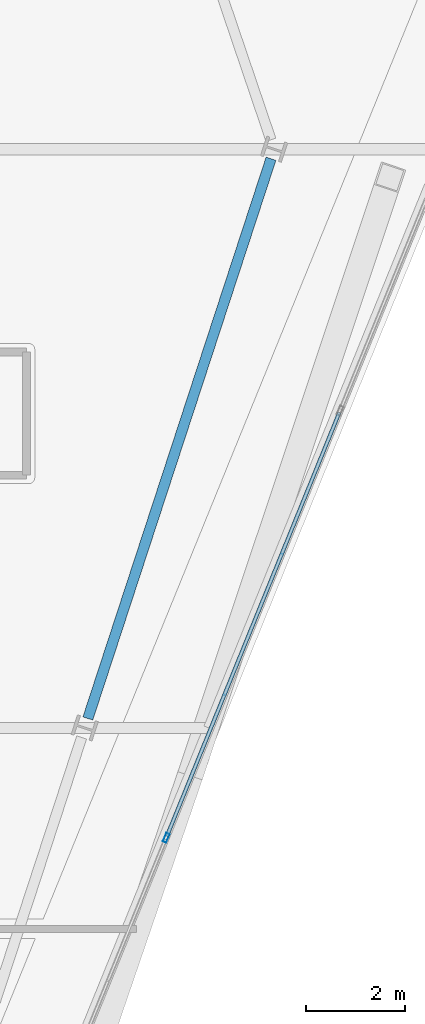
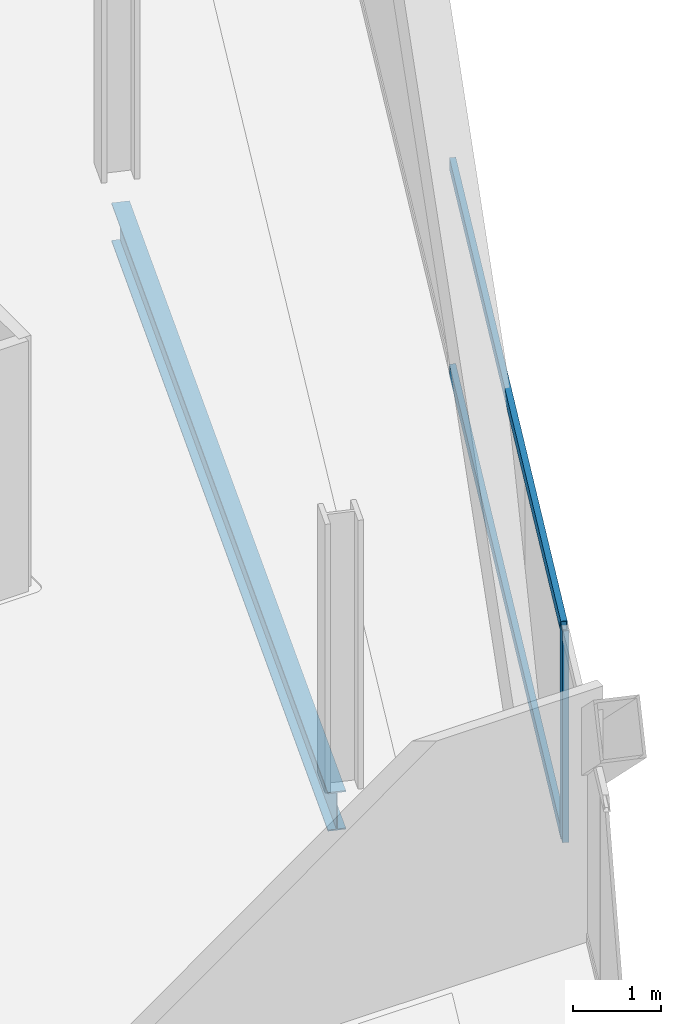
# One storey, part 13 of 31: 3 members, 1 beam, 1 element without a shape of its own.
"""IFC4 building model written with IfcOpenShell, lengths in metres."""

import ifcopenshell
import ifcopenshell.guid

model = None  # the IFC model being written
_history = None  # IfcOwnerHistory: only IFC2X3 demands one
_inside = {}  # id of a spatial element -> (the spatial element, [elements in it])
_under = {}  # id of a project, library or spatial element -> (it, [spatial elements below it])
_declared = {}  # id of a project -> (the project, [libraries it declares])
_typed = {}  # id of a type object -> (the type object, [elements of that type])
_made_of = {}  # id of a material, layer set ... -> (it, [elements and type objects made of it])


def new_model(schema):
    """Start an empty IFC model of exactly this schema.

    Asked for "IFC4X3", IfcOpenShell would pick the latest addendum, in which some entities
    have other attributes; the version numbers below select the first issue.
    IFC2X3 requires an IfcOwnerHistory on every rooted entity: one is made here for all.
    """
    global model, _history
    if schema == "IFC4X3":
        model = ifcopenshell.file(schema_version=(4, 3, 0, 0))
    else:
        model = ifcopenshell.file(schema=schema)
    _inside.clear()
    _under.clear()
    _declared.clear()
    _typed.clear()
    _made_of.clear()
    _history = None
    if model.schema == "IFC2X3":
        org = make("IfcOrganization", Name="unknown")
        user = make(
            "IfcPersonAndOrganization",
            ThePerson=make("IfcPerson", FamilyName="unknown"),
            TheOrganization=org,
        )
        app = make(
            "IfcApplication",
            ApplicationDeveloper=org,
            Version="unknown",
            ApplicationFullName="unknown",
            ApplicationIdentifier="unknown",
        )
        _history = make(
            "IfcOwnerHistory",
            OwningUser=user,
            OwningApplication=app,
            ChangeAction="ADDED",
            CreationDate=0,
        )
    return model


def make(cls, **values):
    """One entity of the class cls with the attributes given. An attribute that is None is left unset."""
    return model.create_entity(
        cls, **{name: value for name, value in values.items() if value is not None}
    )


def rooted(cls, **values):
    """An entity with a GlobalId (a new one), such as an element, a storey or a relation."""
    return make(cls, GlobalId=ifcopenshell.guid.new(), OwnerHistory=_history, **values)


def si_unit(unit_type, name, prefix=None):
    """IfcSIUnit, for example si_unit("LENGTHUNIT", "METRE", prefix="MILLI")."""
    return make("IfcSIUnit", UnitType=unit_type, Prefix=prefix, Name=name)


def assignment(units):
    """IfcUnitAssignment: the units of a project."""
    return None if units is None else make("IfcUnitAssignment", Units=units)


def point(xyz):
    """IfcCartesianPoint."""
    return None if xyz is None else make("IfcCartesianPoint", Coordinates=xyz)


def direction(xyz):
    """IfcDirection."""
    return None if xyz is None else make("IfcDirection", DirectionRatios=xyz)


def frame(location, z_axis=None, x_axis=None):
    """IfcAxis2Placement3D, a coordinate frame: its origin and axes. An axis left out is left unset."""
    return make(
        "IfcAxis2Placement3D",
        Location=point(location),
        Axis=direction(z_axis),
        RefDirection=direction(x_axis),
    )


def frame_2d(location, x_axis=None):
    """IfcAxis2Placement2D, a coordinate frame in the plane: its origin and x axis."""
    return make(
        "IfcAxis2Placement2D", Location=point(location), RefDirection=direction(x_axis)
    )


def origin():
    """The frame at (0, 0, 0) with its axes left unset."""
    return frame((0.0, 0.0, 0.0))


def origin_2d():
    """The frame at (0, 0) in the plane with its x axis left unset."""
    return frame_2d((0.0, 0.0))


def place(relative_to, where):
    """IfcLocalPlacement: puts the frame where relative to a parent placement (None: the world)."""
    return make(
        "IfcLocalPlacement", PlacementRelTo=relative_to, RelativePlacement=where
    )


def context(
    kind, dimensions, precision=None, world=None, true_north=None, identifier=None
):
    """IfcGeometricRepresentationContext, for example the 3D "Model" context."""
    return make(
        "IfcGeometricRepresentationContext",
        ContextIdentifier=identifier,
        ContextType=kind,
        CoordinateSpaceDimension=dimensions,
        Precision=precision,
        WorldCoordinateSystem=world,
        TrueNorth=true_north,
    )


def subcontext(parent, identifier, kind, view, scale=None):
    """IfcGeometricRepresentationSubContext, for example "Body" below "Model"."""
    return make(
        "IfcGeometricRepresentationSubContext",
        ContextIdentifier=identifier,
        ContextType=kind,
        ParentContext=parent,
        TargetScale=scale,
        TargetView=view,
    )


def project(units=None, contexts=None):
    """IfcProject with its units and contexts."""
    return rooted(
        "IfcProject",
        Name="project",
        RepresentationContexts=contexts,
        UnitsInContext=assignment(units),
    )


def spatial(cls, under=None, at=None, **own):
    """A site, building, storey or space (cls), placed at a placement, below another one or the project."""
    s = rooted(cls, ObjectPlacement=at, **own)
    if under is not None:
        _under.setdefault(under.id(), (under, []))[1].append(s)
    return s


def profile(cls, at=None, kind="AREA", **sizes):
    """A parametric profile (cls). Its sizes go by their IFC names, for example OverallWidth=200.0."""
    return make(cls, ProfileType=kind, Position=at, **sizes)


def hollow_rectangle(**sizes):
    """IfcRectangleHollowProfileDef."""
    return profile("IfcRectangleHollowProfileDef", **sizes)


def i_section(**sizes):
    """IfcIShapeProfileDef."""
    return profile("IfcIShapeProfileDef", **sizes)


def extrude(swept, where, along, depth):
    """IfcExtrudedAreaSolid: the profile swept, set in the frame where, extruded along a direction by depth."""
    return make(
        "IfcExtrudedAreaSolid",
        SweptArea=swept,
        Position=where,
        ExtrudedDirection=direction(along),
        Depth=depth,
    )


def shape(context_of_items, identifier, shape_type, items):
    """IfcShapeRepresentation: the items that make up one representation, for example the "Body"."""
    return make(
        "IfcShapeRepresentation",
        ContextOfItems=context_of_items,
        RepresentationIdentifier=identifier,
        RepresentationType=shape_type,
        Items=items,
    )


def material(Name=None, Category=None):
    """IfcMaterial."""
    return make("IfcMaterial", Name=Name, Category=Category)


def material_profile(
    of_material, cross_section, Name=None, Category=None, Priority=None
):
    """IfcMaterialProfile: a cross section and its material."""
    return make(
        "IfcMaterialProfile",
        Name=Name,
        Material=of_material,
        Profile=cross_section,
        Priority=Priority,
        Category=Category,
    )


def profile_set(profiles, Name=None, composite=None):
    """IfcMaterialProfileSet."""
    return make(
        "IfcMaterialProfileSet",
        Name=Name,
        MaterialProfiles=profiles,
        CompositeProfile=composite,
    )


def made_of(thing, what):
    """Note that an element or type object is made of a material, layer set ...; save() writes the relation."""
    if what is not None:
        _made_of.setdefault(what.id(), (what, []))[1].append(thing)
    return thing


def type_object(cls, material=None, **own):
    """A type object (cls), such as IfcWallType, which elements share."""
    return made_of(rooted(cls, **own), material)


def element(
    cls,
    number,
    at=None,
    inside=None,
    cuts=None,
    type_object=None,
    material=None,
    context=None,
    identifier="Body",
    shape_type=None,
    held_by="IfcProductDefinitionShape",
    body=None,
    shapes=None,
    **own,
):
    """One element of the class cls, such as IfcWall. Its Tag is "e" and its number.

    at: its placement. inside: the storey or other place that contains it. cuts: it is an
    opening in that element (IfcRelVoidsElement). A single representation is given by context,
    identifier, shape_type and body (its items); several are given by shapes. held_by: the class
    of the entity that holds the representations. save() writes the other relations.
    """
    e = rooted(cls, Tag="e%d" % number, ObjectPlacement=at, **own)
    if body is not None:
        shapes = [shape(context, identifier, shape_type, body)]
    if shapes is not None:
        e.Representation = make(held_by, Representations=shapes)
    if inside is not None:
        _inside.setdefault(inside.id(), (inside, []))[1].append(e)
    if cuts is not None:
        rooted(
            "IfcRelVoidsElement", RelatingBuildingElement=cuts, RelatedOpeningElement=e
        )
    if type_object is not None:
        _typed.setdefault(type_object.id(), (type_object, []))[1].append(e)
    return made_of(e, material)


def aggregate(whole, parts):
    """IfcRelAggregates: a whole, such as a stair, and the parts it consists of."""
    return rooted("IfcRelAggregates", RelatingObject=whole, RelatedObjects=parts)


def save(model, path):
    """Write the relations noted so far, then the file.

    IfcRelAggregates (storeys below a building ...), IfcRelContainedInSpatialStructure (elements
    in a storey), IfcRelDefinesByType, IfcRelAssociatesMaterial and IfcRelDeclares: one each for
    every whole, place, type object, material and project.
    """
    for whole, parts in _under.values():
        aggregate(whole, parts)
    for where, things in _inside.values():
        rooted(
            "IfcRelContainedInSpatialStructure",
            RelatedElements=things,
            RelatingStructure=where,
        )
    for kind, things in _typed.values():
        rooted("IfcRelDefinesByType", RelatedObjects=things, RelatingType=kind)
    for what, things in _made_of.values():
        rooted("IfcRelAssociatesMaterial", RelatedObjects=things, RelatingMaterial=what)
    for by, libraries in _declared.values():
        rooted("IfcRelDeclares", RelatingContext=by, RelatedDefinitions=libraries)
    model.write(path)


model = new_model("IFC4")

# Units and contexts
model_context = context("Model", 3, precision=1e-05, world=origin(), true_north=direction((0.0, 1.0)))
body_context = subcontext(model_context, "Body", "Model", "MODEL_VIEW")
ifc_project = project(units=[si_unit("LENGTHUNIT", "METRE"), si_unit("AREAUNIT", "SQUARE_METRE"), si_unit("VOLUMEUNIT", "CUBIC_METRE"), si_unit("PLANEANGLEUNIT", "RADIAN"), si_unit("MASSUNIT", "GRAM", prefix="KILO")], contexts=[model_context])

# Site, building, storey
site_placement = place(None, origin())
site = spatial("IfcSite", under=ifc_project, at=site_placement, CompositionType="ELEMENT")
building_placement = place(site_placement, origin())
building = spatial("IfcBuilding", under=site, at=building_placement, Name="Haldenkirk Collegiate Tower", CompositionType="ELEMENT")
storey_placement = place(building_placement, frame((0.0, 0.0, 256.199951171875)))
storey = spatial("IfcBuildingStorey", under=building, at=storey_placement, Name="L64", CompositionType="ELEMENT", Elevation=256.199951171875)

# Beam
ifc_material_1 = material(Name="Steel ASTM A992 Grade 50", Category="steel")
ifc_material_profile_1 = material_profile(ifc_material_1, i_section(OverallWidth=0.2099609375, OverallDepth=0.537109375, WebThickness=0.010986328125, FlangeThickness=0.017333984375, at=origin_2d()), Name="W21X68")
ifc_profile_set_1 = profile_set([ifc_material_profile_1], Name="Steel ASTM A992 Grade 50")
beam_type = type_object("IfcBeamType", Name="BM-SPANDREL-W21X68", PredefinedType="SPANDREL", material=ifc_profile_set_1)
beam_placement = place(storey_placement, frame((55.54638671875, 19.81689453125, -0.538330078125), z_axis=(0.311010188249, 0.950406577631, 0.0), x_axis=(-0.950406577631, 0.311010188249, 0.0)))
element("IfcBeam", 1, at=beam_placement, inside=storey, type_object=beam_type, Name="L64 perimeter spandrel beam 03", PredefinedType="SPANDREL", context=body_context, shape_type="SweptSolid", body=[
    extrude(i_section(OverallWidth=0.2099609375, OverallDepth=0.537109375, WebThickness=0.010986328125, FlangeThickness=0.017333984375, at=origin_2d()), origin(), (0.0, 0.0, 1.0), 11.94287109375),
])

# Curtain wall, members
ifc_material_2 = material(Name="Anodised architectural bronze aluminium", Category="aluminium")
curtain_wall_type = type_object("IfcCurtainWallType", Name="CW-SYS2-CONCAVE", PredefinedType="USERDEFINED", material=ifc_material_2)
curtain_wall_placement = place(storey_placement, origin())
curtain_wall = element("IfcCurtainWall", 2, at=curtain_wall_placement, inside=storey, type_object=curtain_wall_type, Name="L64 South concave recessed bronze-anodised curtain wall", ObjectType="UNITISED CURTAIN WALL", PredefinedType="USERDEFINED")
ifc_material_profile_2 = material_profile(ifc_material_2, hollow_rectangle(XDim=0.074951171875, YDim=0.18994140625, WallThickness=0.0048828125, at=origin_2d()), Name="CW-MUL-02")
ifc_profile_set_2 = profile_set([ifc_material_profile_2], Name="Anodised architectural bronze aluminium")
member_type_1 = type_object("IfcMemberType", Name="CW-MUL-02", PredefinedType="MULLION", material=ifc_profile_set_2)
member_1_placement = place(storey_placement, frame((57.135986328125, 17.396240234375, 0.0), z_axis=(0.0, 0.0, 1.0), x_axis=(0.926200245722, -0.377031967908, 0.0)))
member_1 = element("IfcMember", 3, at=member_1_placement, type_object=member_type_1, Name="CW-02 mullion 3", PredefinedType="MULLION", context=body_context, shape_type="SweptSolid", body=[
    extrude(hollow_rectangle(XDim=0.074951171875, YDim=0.18994140625, WallThickness=0.0048828125, at=origin_2d()), origin(), (0.0, 0.0, 1.0), 2.93798828125),
])
ifc_material_profile_3 = material_profile(ifc_material_2, hollow_rectangle(XDim=0.074951171875, YDim=0.159912109375, WallThickness=0.0048828125, at=origin_2d()), Name="CW-TRN-02")
ifc_profile_set_3 = profile_set([ifc_material_profile_3], Name="Anodised architectural bronze aluminium")
member_type_2 = type_object("IfcMemberType", Name="CW-TRN-02", PredefinedType="USERDEFINED", material=ifc_profile_set_3)
member_2_placement = place(storey_placement, frame((60.64697265625, 26.021484375, 0.03759765625), z_axis=(-0.377015932379, -0.926206773206, 0.0), x_axis=(0.926206773206, -0.377015932379, 0.0)))
member_2 = element("IfcMember", 4, at=member_2_placement, type_object=member_type_2, Name="CW-02 transom 2.1", ObjectType="TRANSOM", PredefinedType="USERDEFINED", context=body_context, shape_type="SweptSolid", body=[
    extrude(hollow_rectangle(XDim=0.074951171875, YDim=0.159912109375, WallThickness=0.0048828125, at=origin_2d()), origin(), (0.0, 0.0, 1.0), 9.27490234375),
])
member_3_placement = place(storey_placement, frame((60.64697265625, 26.021484375, 2.900634765625), z_axis=(-0.377015932379, -0.926206773206, 0.0), x_axis=(0.926206773206, -0.377015932379, 0.0)))
member_3 = element("IfcMember", 5, at=member_3_placement, type_object=member_type_2, Name="CW-02 transom 2.2", ObjectType="TRANSOM", PredefinedType="USERDEFINED", context=body_context, shape_type="SweptSolid", body=[
    extrude(hollow_rectangle(XDim=0.074951171875, YDim=0.159912109375, WallThickness=0.0048828125, at=origin_2d()), origin(), (0.0, 0.0, 1.0), 9.27490234375),
])
aggregate(curtain_wall, [member_1, member_2, member_3])

save(model, "model.ifc")
